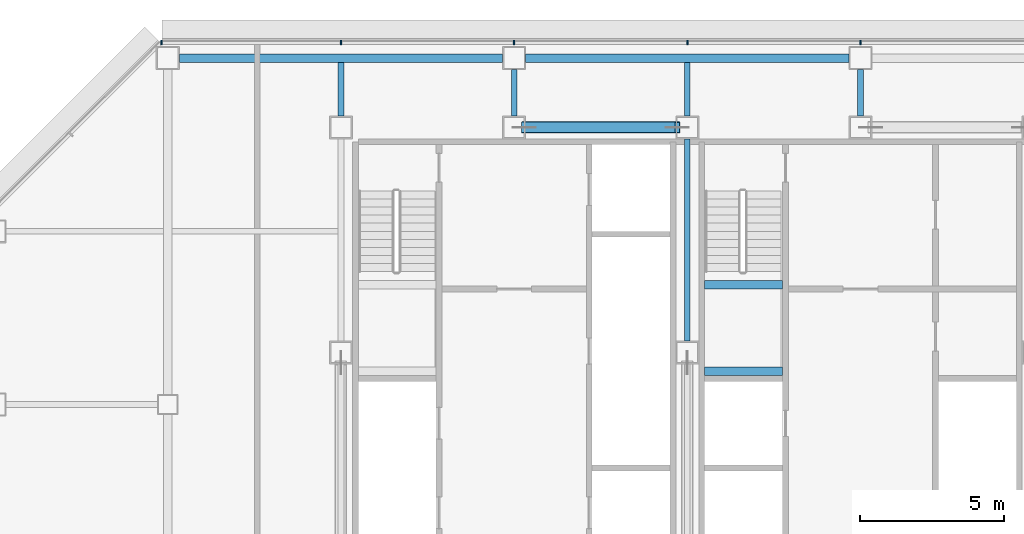
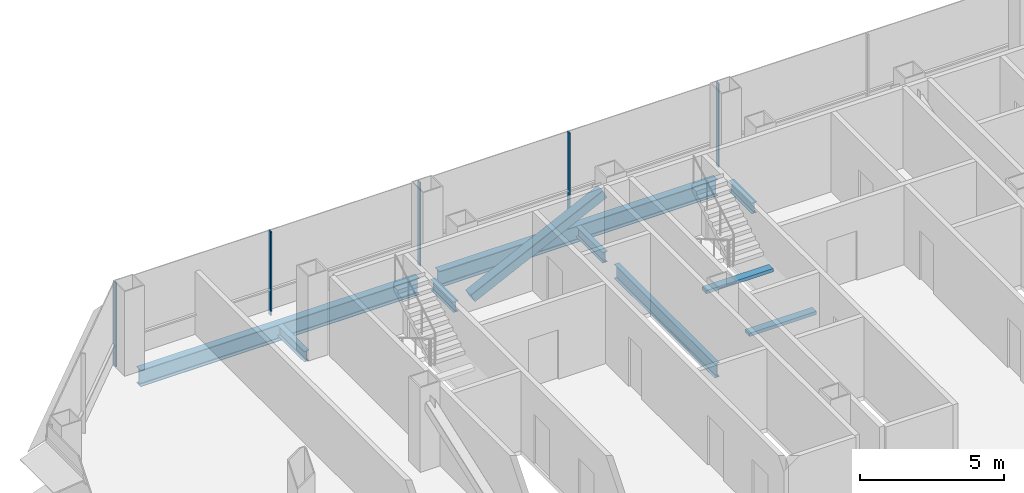
# One storey, part 12 of 26: 9 beams, 6 members, 1 element without a shape of its own.
"""IFC4 building model written with IfcOpenShell, lengths in metres."""

import ifcopenshell
import ifcopenshell.guid

model = None  # the IFC model being written
_history = None  # IfcOwnerHistory: only IFC2X3 demands one
_inside = {}  # id of a spatial element -> (the spatial element, [elements in it])
_under = {}  # id of a project, library or spatial element -> (it, [spatial elements below it])
_declared = {}  # id of a project -> (the project, [libraries it declares])
_typed = {}  # id of a type object -> (the type object, [elements of that type])
_made_of = {}  # id of a material, layer set ... -> (it, [elements and type objects made of it])


def new_model(schema):
    """Start an empty IFC model of exactly this schema.

    Asked for "IFC4X3", IfcOpenShell would pick the latest addendum, in which some entities
    have other attributes; the version numbers below select the first issue.
    IFC2X3 requires an IfcOwnerHistory on every rooted entity: one is made here for all.
    """
    global model, _history
    if schema == "IFC4X3":
        model = ifcopenshell.file(schema_version=(4, 3, 0, 0))
    else:
        model = ifcopenshell.file(schema=schema)
    _inside.clear()
    _under.clear()
    _declared.clear()
    _typed.clear()
    _made_of.clear()
    _history = None
    if model.schema == "IFC2X3":
        org = make("IfcOrganization", Name="unknown")
        user = make(
            "IfcPersonAndOrganization",
            ThePerson=make("IfcPerson", FamilyName="unknown"),
            TheOrganization=org,
        )
        app = make(
            "IfcApplication",
            ApplicationDeveloper=org,
            Version="unknown",
            ApplicationFullName="unknown",
            ApplicationIdentifier="unknown",
        )
        _history = make(
            "IfcOwnerHistory",
            OwningUser=user,
            OwningApplication=app,
            ChangeAction="ADDED",
            CreationDate=0,
        )
    return model


def make(cls, **values):
    """One entity of the class cls with the attributes given. An attribute that is None is left unset."""
    return model.create_entity(
        cls, **{name: value for name, value in values.items() if value is not None}
    )


def rooted(cls, **values):
    """An entity with a GlobalId (a new one), such as an element, a storey or a relation."""
    return make(cls, GlobalId=ifcopenshell.guid.new(), OwnerHistory=_history, **values)


def si_unit(unit_type, name, prefix=None):
    """IfcSIUnit, for example si_unit("LENGTHUNIT", "METRE", prefix="MILLI")."""
    return make("IfcSIUnit", UnitType=unit_type, Prefix=prefix, Name=name)


def assignment(units):
    """IfcUnitAssignment: the units of a project."""
    return None if units is None else make("IfcUnitAssignment", Units=units)


def point(xyz):
    """IfcCartesianPoint."""
    return None if xyz is None else make("IfcCartesianPoint", Coordinates=xyz)


def direction(xyz):
    """IfcDirection."""
    return None if xyz is None else make("IfcDirection", DirectionRatios=xyz)


def frame(location, z_axis=None, x_axis=None):
    """IfcAxis2Placement3D, a coordinate frame: its origin and axes. An axis left out is left unset."""
    return make(
        "IfcAxis2Placement3D",
        Location=point(location),
        Axis=direction(z_axis),
        RefDirection=direction(x_axis),
    )


def frame_2d(location, x_axis=None):
    """IfcAxis2Placement2D, a coordinate frame in the plane: its origin and x axis."""
    return make(
        "IfcAxis2Placement2D", Location=point(location), RefDirection=direction(x_axis)
    )


def origin():
    """The frame at (0, 0, 0) with its axes left unset."""
    return frame((0.0, 0.0, 0.0))


def origin_2d():
    """The frame at (0, 0) in the plane with its x axis left unset."""
    return frame_2d((0.0, 0.0))


def place(relative_to, where):
    """IfcLocalPlacement: puts the frame where relative to a parent placement (None: the world)."""
    return make(
        "IfcLocalPlacement", PlacementRelTo=relative_to, RelativePlacement=where
    )


def context(
    kind, dimensions, precision=None, world=None, true_north=None, identifier=None
):
    """IfcGeometricRepresentationContext, for example the 3D "Model" context."""
    return make(
        "IfcGeometricRepresentationContext",
        ContextIdentifier=identifier,
        ContextType=kind,
        CoordinateSpaceDimension=dimensions,
        Precision=precision,
        WorldCoordinateSystem=world,
        TrueNorth=true_north,
    )


def subcontext(parent, identifier, kind, view, scale=None):
    """IfcGeometricRepresentationSubContext, for example "Body" below "Model"."""
    return make(
        "IfcGeometricRepresentationSubContext",
        ContextIdentifier=identifier,
        ContextType=kind,
        ParentContext=parent,
        TargetScale=scale,
        TargetView=view,
    )


def project(units=None, contexts=None):
    """IfcProject with its units and contexts."""
    return rooted(
        "IfcProject",
        Name="project",
        RepresentationContexts=contexts,
        UnitsInContext=assignment(units),
    )


def spatial(cls, under=None, at=None, **own):
    """A site, building, storey or space (cls), placed at a placement, below another one or the project."""
    s = rooted(cls, ObjectPlacement=at, **own)
    if under is not None:
        _under.setdefault(under.id(), (under, []))[1].append(s)
    return s


def profile(cls, at=None, kind="AREA", **sizes):
    """A parametric profile (cls). Its sizes go by their IFC names, for example OverallWidth=200.0."""
    return make(cls, ProfileType=kind, Position=at, **sizes)


def rectangle(**sizes):
    """IfcRectangleProfileDef."""
    return profile("IfcRectangleProfileDef", **sizes)


def hollow_rectangle(**sizes):
    """IfcRectangleHollowProfileDef."""
    return profile("IfcRectangleHollowProfileDef", **sizes)


def i_section(**sizes):
    """IfcIShapeProfileDef."""
    return profile("IfcIShapeProfileDef", **sizes)


def extrude(swept, where, along, depth):
    """IfcExtrudedAreaSolid: the profile swept, set in the frame where, extruded along a direction by depth."""
    return make(
        "IfcExtrudedAreaSolid",
        SweptArea=swept,
        Position=where,
        ExtrudedDirection=direction(along),
        Depth=depth,
    )


def shape(context_of_items, identifier, shape_type, items):
    """IfcShapeRepresentation: the items that make up one representation, for example the "Body"."""
    return make(
        "IfcShapeRepresentation",
        ContextOfItems=context_of_items,
        RepresentationIdentifier=identifier,
        RepresentationType=shape_type,
        Items=items,
    )


def material(Name=None, Category=None):
    """IfcMaterial."""
    return make("IfcMaterial", Name=Name, Category=Category)


def material_profile(
    of_material, cross_section, Name=None, Category=None, Priority=None
):
    """IfcMaterialProfile: a cross section and its material."""
    return make(
        "IfcMaterialProfile",
        Name=Name,
        Material=of_material,
        Profile=cross_section,
        Priority=Priority,
        Category=Category,
    )


def profile_set(profiles, Name=None, composite=None):
    """IfcMaterialProfileSet."""
    return make(
        "IfcMaterialProfileSet",
        Name=Name,
        MaterialProfiles=profiles,
        CompositeProfile=composite,
    )


def made_of(thing, what):
    """Note that an element or type object is made of a material, layer set ...; save() writes the relation."""
    if what is not None:
        _made_of.setdefault(what.id(), (what, []))[1].append(thing)
    return thing


def type_object(cls, material=None, **own):
    """A type object (cls), such as IfcWallType, which elements share."""
    return made_of(rooted(cls, **own), material)


def element(
    cls,
    number,
    at=None,
    inside=None,
    cuts=None,
    type_object=None,
    material=None,
    context=None,
    identifier="Body",
    shape_type=None,
    held_by="IfcProductDefinitionShape",
    body=None,
    shapes=None,
    **own,
):
    """One element of the class cls, such as IfcWall. Its Tag is "e" and its number.

    at: its placement. inside: the storey or other place that contains it. cuts: it is an
    opening in that element (IfcRelVoidsElement). A single representation is given by context,
    identifier, shape_type and body (its items); several are given by shapes. held_by: the class
    of the entity that holds the representations. save() writes the other relations.
    """
    e = rooted(cls, Tag="e%d" % number, ObjectPlacement=at, **own)
    if body is not None:
        shapes = [shape(context, identifier, shape_type, body)]
    if shapes is not None:
        e.Representation = make(held_by, Representations=shapes)
    if inside is not None:
        _inside.setdefault(inside.id(), (inside, []))[1].append(e)
    if cuts is not None:
        rooted(
            "IfcRelVoidsElement", RelatingBuildingElement=cuts, RelatedOpeningElement=e
        )
    if type_object is not None:
        _typed.setdefault(type_object.id(), (type_object, []))[1].append(e)
    return made_of(e, material)


def aggregate(whole, parts):
    """IfcRelAggregates: a whole, such as a stair, and the parts it consists of."""
    return rooted("IfcRelAggregates", RelatingObject=whole, RelatedObjects=parts)


def save(model, path):
    """Write the relations noted so far, then the file.

    IfcRelAggregates (storeys below a building ...), IfcRelContainedInSpatialStructure (elements
    in a storey), IfcRelDefinesByType, IfcRelAssociatesMaterial and IfcRelDeclares: one each for
    every whole, place, type object, material and project.
    """
    for whole, parts in _under.values():
        aggregate(whole, parts)
    for where, things in _inside.values():
        rooted(
            "IfcRelContainedInSpatialStructure",
            RelatedElements=things,
            RelatingStructure=where,
        )
    for kind, things in _typed.values():
        rooted("IfcRelDefinesByType", RelatedObjects=things, RelatingType=kind)
    for what, things in _made_of.values():
        rooted("IfcRelAssociatesMaterial", RelatedObjects=things, RelatingMaterial=what)
    for by, libraries in _declared.values():
        rooted("IfcRelDeclares", RelatingContext=by, RelatedDefinitions=libraries)
    model.write(path)


model = new_model("IFC4")

# Units and contexts
model_context = context("Model", 3, precision=1e-05, world=origin(), true_north=direction((0.0, 1.0)))
body_context = subcontext(model_context, "Body", "Model", "MODEL_VIEW")
ifc_project = project(units=[si_unit("LENGTHUNIT", "METRE"), si_unit("AREAUNIT", "SQUARE_METRE"), si_unit("VOLUMEUNIT", "CUBIC_METRE"), si_unit("PLANEANGLEUNIT", "RADIAN"), si_unit("MASSUNIT", "GRAM", prefix="KILO")], contexts=[model_context])

# Site, building, storey
site_placement = place(None, origin())
site = spatial("IfcSite", under=ifc_project, at=site_placement, CompositionType="ELEMENT")
building_placement = place(site_placement, origin())
building = spatial("IfcBuilding", under=site, at=building_placement, Name="Sorahane Residences", CompositionType="ELEMENT")
storey_placement = place(building_placement, frame((0.0, 0.0, 110.60009765625)))
storey = spatial("IfcBuildingStorey", under=building, at=storey_placement, Name="L24", CompositionType="ELEMENT", Elevation=110.60009765625)

# Member
ifc_material_1 = material(Name="Steel Q355B", Category="steel")
ifc_material_profile_1 = material_profile(ifc_material_1, hollow_rectangle(XDim=0.39990234375, YDim=0.39990234375, WallThickness=0.02001953125, InnerFilletRadius=0.010009765625, OuterFilletRadius=0.030029296875, at=origin_2d()), Name="RHS 400x400x20")
ifc_profile_set_1 = profile_set([ifc_material_profile_1], Name="Steel Q355B")
member_type_1 = type_object("IfcMemberType", Name="Core brace RHS 400x400x20 Q355B", PredefinedType="BRACE", material=ifc_profile_set_1)
member_1_placement = place(storey_placement, frame((12.347412109375, 45.60009765625, 0.17431640625), z_axis=(0.899224529182, 0.0, 0.437487423954), x_axis=(0.0, 1.0, 0.0)))
element("IfcMember", 1, at=member_1_placement, inside=storey, type_object=member_type_1, Name="Core brace L24 y45.6-2", PredefinedType="BRACE", context=body_context, shape_type="SweptSolid", body=[
    extrude(hollow_rectangle(XDim=0.39990234375, YDim=0.39990234375, WallThickness=0.02001953125, InnerFilletRadius=0.010009765625, OuterFilletRadius=0.030029296875, at=origin_2d()), origin(), (0.0, 0.0, 1.0), 5.899658203125),
])

# Curtain wall, members
ifc_material_2 = material(Name="Dark low-e glass and black anodised aluminium", Category="aluminium")
curtain_wall_type = type_object("IfcCurtainWallType", Name="Curtain wall CW-1 Typical unitised wall", PredefinedType="NOTDEFINED", material=ifc_material_2)
curtain_wall_placement = place(storey_placement, origin())
curtain_wall = element("IfcCurtainWall", 2, at=curtain_wall_placement, inside=storey, type_object=curtain_wall_type, Name="CW-1 curtain wall L24 N1", PredefinedType="NOTDEFINED")
ifc_material_3 = material(Name="Black anodised aluminium", Category="aluminium")
ifc_material_profile_2 = material_profile(ifc_material_3, rectangle(XDim=0.159912109375, YDim=0.050048828125, at=origin_2d()), Name="Curtain wall mullion CW-1 black anodised aluminium 50x160")
ifc_profile_set_2 = profile_set([ifc_material_profile_2], Name="Black anodised aluminium")
member_type_2 = type_object("IfcMemberType", Name="Curtain wall mullion CW-1 black anodised aluminium 50x160", PredefinedType="MULLION", material=ifc_profile_set_2)
member_2_placement = place(storey_placement, frame((24.0, 48.5400390625, -0.18017578125), z_axis=(0.0, 0.0, 1.0), x_axis=(0.0, 1.0, 0.0)))
member_2 = element("IfcMember", 3, at=member_2_placement, type_object=member_type_2, Name="CW-1 mullion L24 N1.6", PredefinedType="MULLION", context=body_context, shape_type="SweptSolid", body=[
    extrude(rectangle(XDim=0.159912109375, YDim=0.050048828125, at=origin_2d()), origin(), (0.0, 0.0, 1.0), 3.56005859375),
])
member_3_placement = place(storey_placement, frame((18.0, 48.5400390625, -0.18017578125), z_axis=(0.0, 0.0, 1.0), x_axis=(0.0, 1.0, 0.0)))
member_3 = element("IfcMember", 4, at=member_3_placement, type_object=member_type_2, Name="CW-1 mullion L24 N1.7", PredefinedType="MULLION", context=body_context, shape_type="SweptSolid", body=[
    extrude(rectangle(XDim=0.159912109375, YDim=0.050048828125, at=origin_2d()), origin(), (0.0, 0.0, 1.0), 3.56005859375),
])
member_4_placement = place(storey_placement, frame((12.0, 48.5400390625, -0.18017578125), z_axis=(0.0, 0.0, 1.0), x_axis=(0.0, 1.0, 0.0)))
member_4 = element("IfcMember", 5, at=member_4_placement, type_object=member_type_2, Name="CW-1 mullion L24 N1.8", PredefinedType="MULLION", context=body_context, shape_type="SweptSolid", body=[
    extrude(rectangle(XDim=0.159912109375, YDim=0.050048828125, at=origin_2d()), origin(), (0.0, 0.0, 1.0), 3.56005859375),
])
member_5_placement = place(storey_placement, frame((6.0, 48.5400390625, -0.18017578125), z_axis=(0.0, 0.0, 1.0), x_axis=(0.0, 1.0, 0.0)))
member_5 = element("IfcMember", 6, at=member_5_placement, type_object=member_type_2, Name="CW-1 mullion L24 N1.9", PredefinedType="MULLION", context=body_context, shape_type="SweptSolid", body=[
    extrude(rectangle(XDim=0.159912109375, YDim=0.050048828125, at=origin_2d()), origin(), (0.0, 0.0, 1.0), 3.56005859375),
])
member_6_placement = place(storey_placement, frame((-0.2236328125, 48.5400390625, -0.18017578125), z_axis=(0.0, 0.0, 1.0), x_axis=(0.0, 1.0, 0.0)))
member_6 = element("IfcMember", 7, at=member_6_placement, type_object=member_type_2, Name="CW-1 mullion L24 N1.10", PredefinedType="MULLION", context=body_context, shape_type="SweptSolid", body=[
    extrude(rectangle(XDim=0.159912109375, YDim=0.050048828125, at=origin_2d()), origin(), (0.0, 0.0, 1.0), 3.56005859375),
])
aggregate(curtain_wall, [member_2, member_3, member_4, member_5, member_6])

# Beams
ifc_material_4 = material(Name="Concrete C40", Category="concrete")
ifc_material_profile_3 = material_profile(ifc_material_4, rectangle(XDim=0.300048828125, YDim=0.139892578125, at=origin_2d()), Name="300x140")
ifc_profile_set_3 = profile_set([ifc_material_profile_3], Name="Concrete C40")
beam_type_1 = type_object("IfcBeamType", Name="RC landing beam 300 x 140 Concrete C40", PredefinedType="BEAM", material=ifc_profile_set_3)
for number, where, z_axis, x_axis, name in (
    (8, (18.60009765625, 37.14990234375, 1.52978515625), (1.0, 0.0, 0.0), (0.0, 1.0, 0.0), "Landing beam"),
    (9, (18.60009765625, 40.14990234375, 1.52978515625), (1.0, 0.0, 0.0), (0.0, 1.0, 0.0), "Landing beam"),
):
    element("IfcBeam", number, at=place(storey_placement, frame(where, z_axis=z_axis, x_axis=x_axis)), inside=storey, type_object=beam_type_1, Name=name, PredefinedType="BEAM", context=body_context, shape_type="SweptSolid", body=[
        extrude(rectangle(XDim=0.300048828125, YDim=0.139892578125, at=origin_2d()), origin(), (0.0, 0.0, 1.0), 2.699951171875),
    ])
ifc_material_5 = material(Name="Steel Q355B", Category="steel")
ifc_material_profile_4 = material_profile(ifc_material_5, i_section(OverallWidth=0.199951171875, OverallDepth=0.449951171875, WebThickness=0.009033203125, FlangeThickness=0.013916015625, FilletRadius=0.02001953125, at=origin_2d()), Name="HN 450x200x9x14")
ifc_profile_set_4 = profile_set([ifc_material_profile_4], Name="Steel Q355B")
beam_type_2 = type_object("IfcBeamType", Name="Steel floor beam HN 450x200x9x14 Q355B", PredefinedType="BEAM", material=ifc_profile_set_4)
beam_1_placement = place(storey_placement, frame((6.0, 46.0, -0.405029296875), z_axis=(0.0, 1.0, 0.0), x_axis=(-1.0, 0.0, 0.0)))
element("IfcBeam", 10, at=beam_1_placement, inside=storey, type_object=beam_type_2, Name="Beam L24 033", PredefinedType="BEAM", context=body_context, shape_type="SweptSolid", body=[
    extrude(i_section(OverallWidth=0.199951171875, OverallDepth=0.449951171875, WebThickness=0.009033203125, FlangeThickness=0.013916015625, FilletRadius=0.02001953125, at=origin_2d()), origin(), (0.0, 0.0, 1.0), 1.85009765625),
])
beam_2_placement = place(storey_placement, frame((12.0, 46.0, -0.405029296875), z_axis=(0.0, 1.0, 0.0), x_axis=(-1.0, 0.0, 0.0)))
element("IfcBeam", 11, at=beam_2_placement, inside=storey, type_object=beam_type_2, Name="Beam L24 035", PredefinedType="BEAM", context=body_context, shape_type="SweptSolid", body=[
    extrude(i_section(OverallWidth=0.199951171875, OverallDepth=0.449951171875, WebThickness=0.009033203125, FlangeThickness=0.013916015625, FilletRadius=0.02001953125, at=origin_2d()), origin(), (0.0, 0.0, 1.0), 1.60009765625),
])
beam_3_placement = place(storey_placement, frame((18.0, 46.0, -0.405029296875), z_axis=(0.0, 1.0, 0.0), x_axis=(-1.0, 0.0, 0.0)))
element("IfcBeam", 12, at=beam_3_placement, inside=storey, type_object=beam_type_2, Name="Beam L24 041", PredefinedType="BEAM", context=body_context, shape_type="SweptSolid", body=[
    extrude(i_section(OverallWidth=0.199951171875, OverallDepth=0.449951171875, WebThickness=0.009033203125, FlangeThickness=0.013916015625, FilletRadius=0.02001953125, at=origin_2d()), origin(), (0.0, 0.0, 1.0), 1.85009765625),
])
beam_4_placement = place(storey_placement, frame((24.0, 46.0, -0.405029296875), z_axis=(0.0, 1.0, 0.0), x_axis=(-1.0, 0.0, 0.0)))
element("IfcBeam", 13, at=beam_4_placement, inside=storey, type_object=beam_type_2, Name="Beam L24 043", PredefinedType="BEAM", context=body_context, shape_type="SweptSolid", body=[
    extrude(i_section(OverallWidth=0.199951171875, OverallDepth=0.449951171875, WebThickness=0.009033203125, FlangeThickness=0.013916015625, FilletRadius=0.02001953125, at=origin_2d()), origin(), (0.0, 0.0, 1.0), 1.60009765625),
])
ifc_material_6 = material(Name="Steel Q355B", Category="steel")
ifc_material_profile_5 = material_profile(ifc_material_6, i_section(OverallWidth=0.199951171875, OverallDepth=0.60009765625, WebThickness=0.010986328125, FlangeThickness=0.01708984375, FilletRadius=0.02392578125, at=origin_2d()), Name="HN 600x200x11x17")
ifc_profile_set_5 = profile_set([ifc_material_profile_5], Name="Steel Q355B")
beam_type_3 = type_object("IfcBeamType", Name="Steel floor beam HN 600x200x11x17 Q355B", PredefinedType="BEAM", material=ifc_profile_set_5)
beam_5_placement = place(storey_placement, frame((18.0, 38.199951171875, -0.47998046875), z_axis=(0.0, 1.0, 0.0), x_axis=(-1.0, 0.0, 0.0)))
element("IfcBeam", 14, at=beam_5_placement, inside=storey, type_object=beam_type_3, Name="Beam L24 040", PredefinedType="BEAM", context=body_context, shape_type="SweptSolid", body=[
    extrude(i_section(OverallWidth=0.199951171875, OverallDepth=0.60009765625, WebThickness=0.010986328125, FlangeThickness=0.01708984375, FilletRadius=0.02392578125, at=origin_2d()), origin(), (0.0, 0.0, 1.0), 7.0),
])
ifc_material_7 = material(Name="Steel Q355B", Category="steel")
ifc_material_profile_6 = material_profile(ifc_material_7, i_section(OverallWidth=0.300048828125, OverallDepth=0.699951171875, WebThickness=0.012939453125, FlangeThickness=0.02392578125, FilletRadius=0.028076171875, at=origin_2d()), Name="HN 700x300x13x24")
ifc_profile_set_6 = profile_set([ifc_material_profile_6], Name="Steel Q355B")
beam_type_4 = type_object("IfcBeamType", Name="Steel floor beam HN 700x300x13x24 Q355B", PredefinedType="BEAM", material=ifc_profile_set_6)
for number, where, z_axis, x_axis, name in (
    (15, (0.39990234375, 48.0, -0.530029296875), (1.0, 0.0, 0.0), (0.0, 1.0, 0.0), "Beam L24 015"),
    (16, (12.39990234375, 48.0, -0.530029296875), (1.0, 0.0, 0.0), (0.0, 1.0, 0.0), "Beam L24 016"),
):
    element("IfcBeam", number, at=place(storey_placement, frame(where, z_axis=z_axis, x_axis=x_axis)), inside=storey, type_object=beam_type_4, Name=name, PredefinedType="BEAM", context=body_context, shape_type="SweptSolid", body=[
        extrude(i_section(OverallWidth=0.300048828125, OverallDepth=0.699951171875, WebThickness=0.012939453125, FlangeThickness=0.02392578125, FilletRadius=0.028076171875, at=origin_2d()), origin(), (0.0, 0.0, 1.0), 11.2001953125),
    ])

save(model, "model.ifc")
